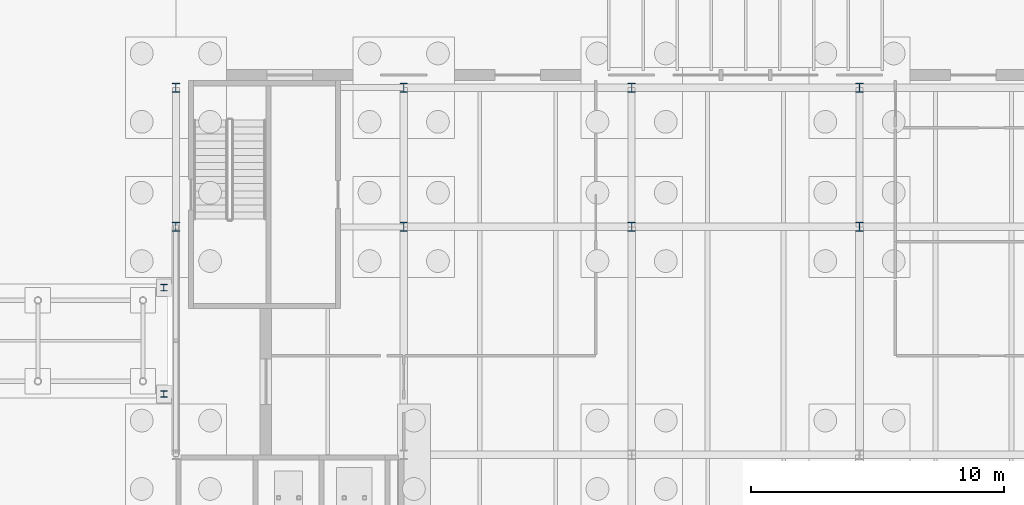
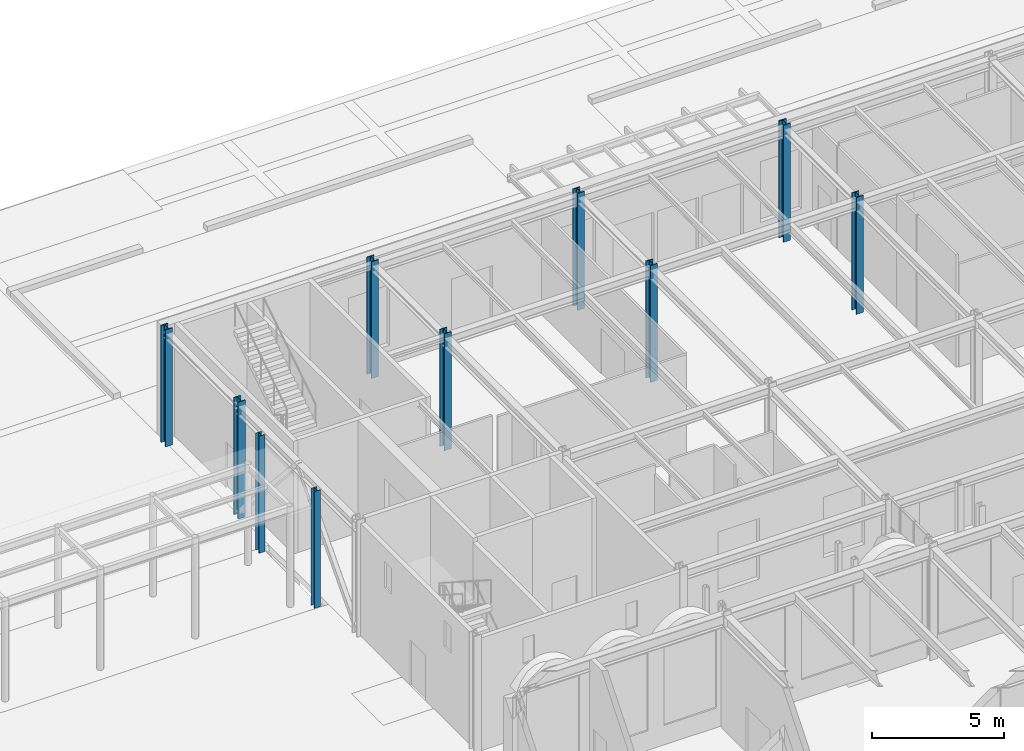
# One storey, part 24 of 126: 10 columns.
"""IFC4 building model written with IfcOpenShell, lengths in metres."""

from ifc_helpers import new_model, si_unit, direction, frame, origin, origin_2d, place, context, subcontext, project, spatial, i_section, extrude, material, material_profile, profile_set, type_object, element, save


model = new_model("IFC4")

# Units and contexts
model_context = context("Model", 3, precision=1e-05, world=origin(), true_north=direction((0.0, 1.0)))
body_context = subcontext(model_context, "Body", "Model", "MODEL_VIEW")
ifc_project = project(units=[si_unit("LENGTHUNIT", "METRE"), si_unit("AREAUNIT", "SQUARE_METRE"), si_unit("VOLUMEUNIT", "CUBIC_METRE"), si_unit("PLANEANGLEUNIT", "RADIAN"), si_unit("MASSUNIT", "GRAM", prefix="KILO")], contexts=[model_context])

# Site, building, storey
site_placement = place(None, origin())
site = spatial("IfcSite", under=ifc_project, at=site_placement, CompositionType="ELEMENT")
building_placement = place(site_placement, origin())
building = spatial("IfcBuilding", under=site, at=building_placement, Name="Kallimachos Central Library", CompositionType="ELEMENT")
storey_placement = place(building_placement, origin())
storey = spatial("IfcBuildingStorey", under=building, at=storey_placement, Name="L00", CompositionType="ELEMENT", Elevation=0.0)

# Columns
ifc_material_1 = material(Name="Steel S355J2", Category="steel")
ifc_material_profile_1 = material_profile(ifc_material_1, i_section(OverallWidth=0.260009765625, OverallDepth=0.260009765625, WebThickness=0.010009765625, FlangeThickness=0.017578125, FilletRadius=0.02392578125, at=origin_2d()), Name="HEB 260")
ifc_profile_set_1 = profile_set([ifc_material_profile_1], Name="Steel S355J2")
column_type_1 = type_object("IfcColumnType", Name="HEB 260 column", PredefinedType="COLUMN", material=ifc_profile_set_1)
for number, where, z_axis, x_axis, name in (
    (1, (65.02490234375, 98.39990234375, 0.0), (0.0, 0.0, 1.0), (1.0, 0.0, 0.0), "B-W landing column"),
    (2, (65.02490234375, 102.60009765625, 0.0), (0.0, 0.0, 1.0), (1.0, 0.0, 0.0), "B-W landing column"),
):
    element("IfcColumn", number, at=place(storey_placement, frame(where, z_axis=z_axis, x_axis=x_axis)), inside=storey, type_object=column_type_1, Name=name, PredefinedType="COLUMN", context=body_context, shape_type="SweptSolid", body=[
        extrude(i_section(OverallWidth=0.260009765625, OverallDepth=0.260009765625, WebThickness=0.010009765625, FlangeThickness=0.017578125, FilletRadius=0.02392578125, at=origin_2d()), origin(), (0.0, 0.0, 1.0), 5.39990234375),
    ])
ifc_material_2 = material(Name="Steel S355J2", Category="steel")
ifc_material_profile_2 = material_profile(ifc_material_2, i_section(OverallWidth=0.30908203125, OverallDepth=0.376953125, WebThickness=0.02099609375, FlangeThickness=0.0400390625, FilletRadius=0.027099609375, at=origin_2d()), Name="HEM 340")
ifc_profile_set_2 = profile_set([ifc_material_profile_2], Name="Steel S355J2")
column_type_2 = type_object("IfcColumnType", Name="HEM 340 column", PredefinedType="COLUMN", material=ifc_profile_set_2)
for number, where, z_axis, x_axis, name in (
    (3, (65.5, 105.0, 0.0), (0.0, 0.0, 1.0), (1.0, 0.0, 0.0), "V1-COL-L00-013"),
    (4, (74.5, 105.0, 0.0), (0.0, 0.0, 1.0), (1.0, 0.0, 0.0), "V1-COL-L00-014"),
    (5, (83.5, 105.0, 0.0), (0.0, 0.0, 1.0), (1.0, 0.0, 0.0), "V1-COL-L00-015"),
    (6, (92.5, 105.0, 0.0), (0.0, 0.0, 1.0), (1.0, 0.0, 0.0), "V1-COL-L00-016"),
    (7, (65.5, 110.5, 0.0), (0.0, 0.0, 1.0), (1.0, 0.0, 0.0), "V1-COL-L00-019"),
    (8, (74.5, 110.5, 0.0), (0.0, 0.0, 1.0), (1.0, 0.0, 0.0), "V1-COL-L00-020"),
    (9, (83.5, 110.5, 0.0), (0.0, 0.0, 1.0), (1.0, 0.0, 0.0), "V1-COL-L00-021"),
    (10, (92.5, 110.5, 0.0), (0.0, 0.0, 1.0), (1.0, 0.0, 0.0), "V1-COL-L00-022"),
):
    element("IfcColumn", number, at=place(storey_placement, frame(where, z_axis=z_axis, x_axis=x_axis)), inside=storey, type_object=column_type_2, Name=name, PredefinedType="COLUMN", context=body_context, shape_type="SweptSolid", body=[
        extrude(i_section(OverallWidth=0.30908203125, OverallDepth=0.376953125, WebThickness=0.02099609375, FlangeThickness=0.0400390625, FilletRadius=0.027099609375, at=origin_2d()), origin(), (0.0, 0.0, 1.0), 5.39990234375),
    ])

save(model, "model.ifc")
